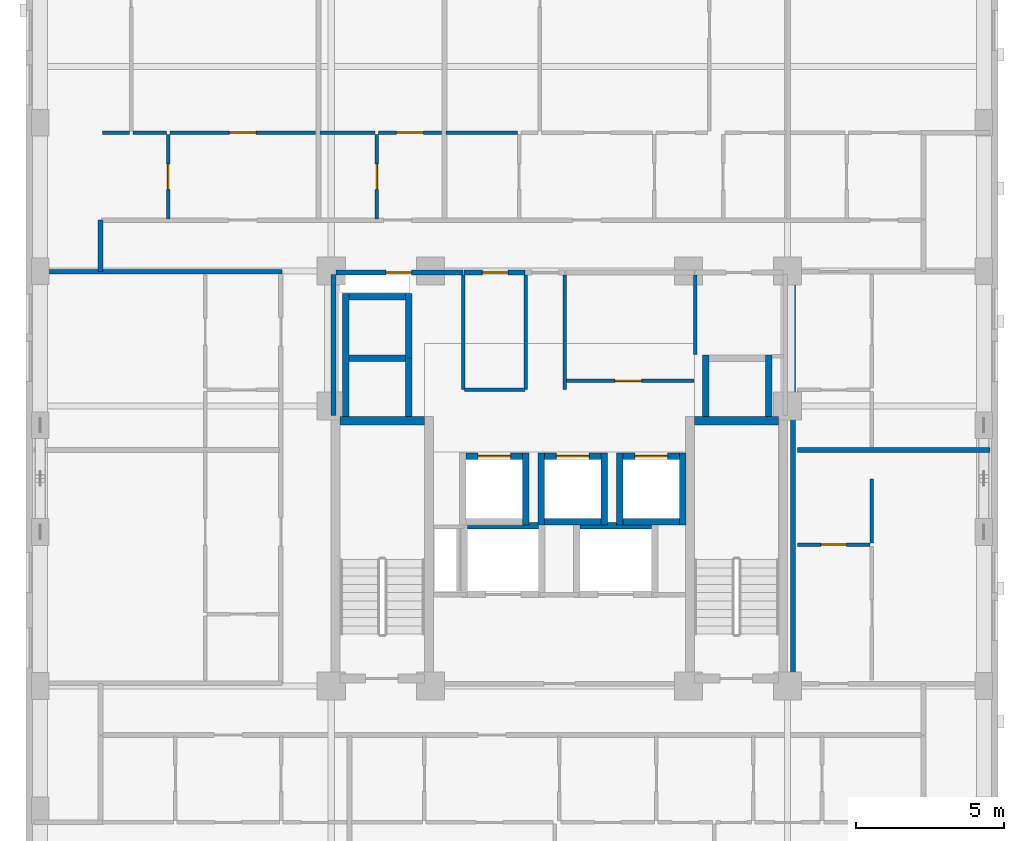
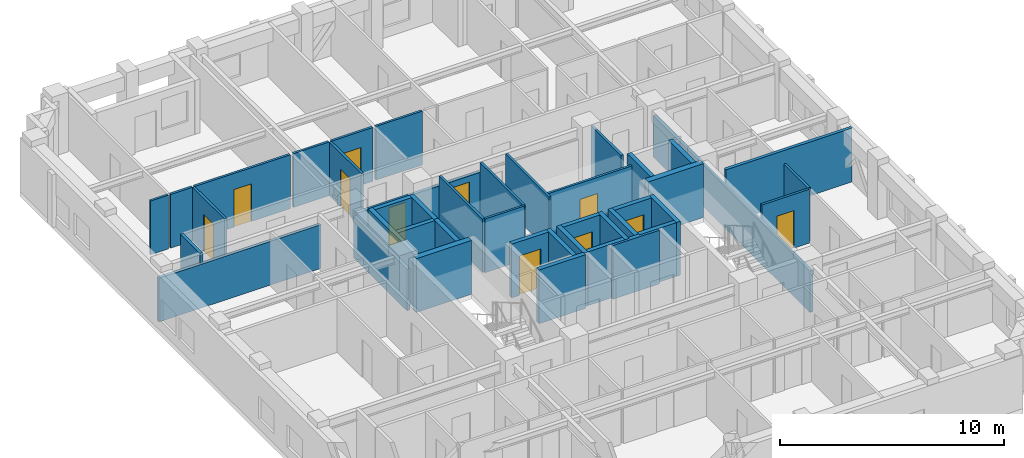
# One storey, part 5 of 11: 44 walls, 11 doors, 11 openings.
"""IFC4 building model written with IfcOpenShell, lengths in metres."""

from ifc_helpers import new_model, si_unit, derived_unit, direction, frame, frame_2d, origin, place, context, subcontext, project, spatial, rectangle, extrude, material, layer, layer_set, type_object, element, fill, save


model = new_model("IFC4")

# Units and contexts
model_context = context("Model", 3, precision=1e-05, world=origin(), true_north=direction((0.0, 1.0)))
body_context = subcontext(model_context, "Body", "Model", "MODEL_VIEW")
ifc_project = project(units=[si_unit("LENGTHUNIT", "METRE"), si_unit("AREAUNIT", "SQUARE_METRE"), si_unit("VOLUMEUNIT", "CUBIC_METRE"), si_unit("PLANEANGLEUNIT", "RADIAN"), si_unit("MASSUNIT", "GRAM", prefix="KILO"), derived_unit("THERMALTRANSMITTANCEUNIT", [(si_unit("MASSUNIT", "GRAM", prefix="KILO"), 1), (si_unit("TIMEUNIT", "SECOND"), -3), (si_unit("THERMODYNAMICTEMPERATUREUNIT", "KELVIN"), -1)])], contexts=[model_context])

# Site, building, storey
site_placement = place(None, origin())
site = spatial("IfcSite", under=ifc_project, at=site_placement, CompositionType="ELEMENT")
building_placement = place(site_placement, origin())
building = spatial("IfcBuilding", under=site, at=building_placement, Name="Korrvale Station Residences", CompositionType="ELEMENT")
storey_placement = place(building_placement, frame((0.0, 0.0, 166.64990234375)))
storey = spatial("IfcBuildingStorey", under=building, at=storey_placement, Name="L48", CompositionType="ELEMENT", Elevation=166.64990234375)

# Walls
ifc_material_1 = material(Name="Concrete C60/75", Category="concrete")
ifc_layer_1 = layer(ifc_material_1, 0.300048828125, Name="Concrete C60/75")
ifc_layer_set_1 = layer_set([ifc_layer_1], Name="Concrete C60/75")
wall_type_1 = type_object("IfcWallType", Name="WAL-CORE-300-C60", PredefinedType="SHEAR", material=ifc_layer_set_1)
for number, where, z_axis, x_axis, name in (
    (1, (18.10009765625, 23.949951171875, 0.0), (0.0, 0.0, 1.0), (1.0, 0.0, 0.0), "L48 ST-1 Core Shear Wall North"),
    (2, (30.050048828125, 23.949951171875, 0.0), (0.0, 0.0, 1.0), (1.0, 0.0, 0.0), "L48 ST-2 Core Shear Wall North"),
):
    element("IfcWall", number, at=place(storey_placement, frame(where, z_axis=z_axis, x_axis=x_axis)), inside=storey, type_object=wall_type_1, Name=name, PredefinedType="SHEAR", context=body_context, shape_type="SweptSolid", body=[
        extrude(rectangle(XDim=2.849853515625, YDim=0.300048828125, at=frame_2d((1.4248046875, 0.0))), origin(), (0.0, 0.0, 1.0), 2.93017578125),
    ])
ifc_material_2 = material(Name="Acoustic steel-stud gypsum board partition", Category="steel")
ifc_layer_2 = layer(ifc_material_2, 0.1201171875, Name="Acoustic steel-stud gypsum board partition")
ifc_layer_set_2 = layer_set([ifc_layer_2], Name="Acoustic steel-stud gypsum board partition")
wall_type_2 = type_object("IfcWallType", Name="WAL-PART-125", PredefinedType="PARTITIONING", material=ifc_layer_set_2)
for number, where, z_axis, x_axis, name in (
    (3, (24.360107421875, 25.0, 0.0), (0.0, 0.0, 1.0), (0.0, 1.0, 0.0), "L48 Core Partition CW-PSG-W"),
    (4, (25.679931640625, 25.0, 0.0), (0.0, 0.0, 1.0), (0.0, 1.0, 0.0), "L48 Core Partition CW-PSG-E"),
):
    element("IfcWall", number, at=place(storey_placement, frame(where, z_axis=z_axis, x_axis=x_axis)), inside=storey, type_object=wall_type_2, Name=name, PredefinedType="PARTITIONING", context=body_context, shape_type="SweptSolid", body=[
        extrude(rectangle(XDim=3.8701171875, YDim=0.1201171875, at=frame_2d((1.93505859375, 0.0))), origin(), (0.0, 0.0, 1.0), 2.93017578125),
    ])
wall_1_placement = place(storey_placement, frame((30.080078125, 26.179931640625, 0.0), z_axis=(0.0, 0.0, 1.0), x_axis=(0.0, 1.0, 0.0)))
element("IfcWall", 5, at=wall_1_placement, inside=storey, type_object=wall_type_2, Name="L48 Core Partition CW-CS-W", PredefinedType="PARTITIONING", context=body_context, shape_type="SweptSolid", body=[
    extrude(rectangle(XDim=2.68017578125, YDim=0.1201171875, at=frame_2d((1.340087890625, 0.0))), origin(), (0.0, 0.0, 1.0), 2.93017578125),
])
wall_2_placement = place(storey_placement, frame((22.260009765625, 25.0, 0.0), z_axis=(0.0, 0.0, 1.0), x_axis=(0.0, 1.0, 0.0)))
element("IfcWall", 6, at=wall_2_placement, inside=storey, type_object=wall_type_2, Name="L48 Core Partition CW-FPLW-W", PredefinedType="PARTITIONING", context=body_context, shape_type="SweptSolid", body=[
    extrude(rectangle(XDim=3.860107421875, YDim=0.1201171875, at=frame_2d((1.93017578125, 0.0))), origin(), (0.0, 0.0, 1.0), 2.93017578125),
])
wall_3_placement = place(storey_placement, frame((22.300048828125, 25.0, 0.0), z_axis=(0.0, 0.0, 1.0), x_axis=(1.0, 0.0, 0.0)))
element("IfcWall", 7, at=wall_3_placement, inside=storey, type_object=wall_type_2, Name="L48 Core Partition CW-FPLW-S", PredefinedType="PARTITIONING", context=body_context, shape_type="SweptSolid", body=[
    extrude(rectangle(XDim=2.0400390625, YDim=0.1201171875, at=frame_2d((1.02001953125, 0.0))), origin(), (0.0, 0.0, 1.0), 2.93017578125),
])

# Wall, opening, door
wall_4_placement = place(storey_placement, frame((25.719970703125, 25.300048828125, 0.0), z_axis=(0.0, 0.0, 1.0), x_axis=(1.0, 0.0, 0.0)))
wall_4 = element("IfcWall", 8, at=wall_4_placement, inside=storey, type_object=wall_type_2, Name="L48 Core Partition CW-FPLE-S", PredefinedType="PARTITIONING", context=body_context, shape_type="SweptSolid", body=[
    extrude(rectangle(XDim=4.320068359375, YDim=0.1201171875, at=frame_2d((2.16015625, 0.0))), origin(), (0.0, 0.0, 1.0), 2.93017578125),
])
opening_1_placement = place(wall_4_placement, frame((1.64990234375, 0.0, 0.0)))
opening_1 = element("IfcOpeningElement", 9, at=opening_1_placement, cuts=wall_4, Name="Opening DI-900", PredefinedType="OPENING", context=body_context, shape_type="SweptSolid", body=[
    extrude(rectangle(XDim=0.89990234375, YDim=2.050048828125, at=frame_2d((0.449951171875, 1.02490234375))), frame((0.0, 0.070068359375, 0.0), z_axis=(0.0, -1.0, 0.0), x_axis=(1.0, 0.0, 0.0)), (0.0, 0.0, 1.0), 0.14013671875),
])
ifc_material_3 = material(Name="Painted solid-core timber interior room door", Category="wood")
door_type_1 = type_object("IfcDoorType", Name="DR-INT-900", OperationType="NOTDEFINED", PredefinedType="DOOR", material=ifc_material_3)
door_1_placement = place(opening_1_placement, origin())
door_1 = element("IfcDoor", 10, at=door_1_placement, inside=storey, type_object=door_type_1, Name="L48 Housekeeping Linen Door", OperationType="SINGLE_SWING_LEFT", OverallHeight=2.050048828125, OverallWidth=0.89990234375, PredefinedType="DOOR", context=body_context, shape_type="SweptSolid", body=[
    extrude(rectangle(XDim=0.89990234375, YDim=2.050048828125, at=frame_2d((0.449951171875, 1.02490234375))), frame((0.0, 0.02490234375, 0.0), z_axis=(0.0, -1.0, 0.0), x_axis=(1.0, 0.0, 0.0)), (0.0, 0.0, 1.0), 0.050048828125),
])
fill(opening_1, door_1)

wall_5_placement = place(storey_placement, frame((12.297119140625, 30.760009765625, 0.0), z_axis=(0.0, 0.0, 1.0), x_axis=(0.0, 1.0, 0.0)))
wall_5 = element("IfcWall", 11, at=wall_5_placement, inside=storey, type_object=wall_type_2, Name="L48 Suite Partition U03-V01", PredefinedType="PARTITIONING", context=body_context, shape_type="SweptSolid", body=[
    extrude(rectangle(XDim=2.85009765625, YDim=0.1201171875, at=frame_2d((1.425048828125, 0.0))), origin(), (0.0, 0.0, 1.0), 2.93017578125),
])
opening_2_placement = place(wall_5_placement, frame((0.9951171875, 0.0, 0.0)))
opening_2 = element("IfcOpeningElement", 12, at=opening_2_placement, cuts=wall_5, Name="Opening DB-860", PredefinedType="OPENING", context=body_context, shape_type="SweptSolid", body=[
    extrude(rectangle(XDim=0.860107421875, YDim=2.050048828125, at=frame_2d((0.43017578125, 1.02490234375))), frame((0.0, 0.070068359375, 0.0), z_axis=(0.0, -1.0, 0.0), x_axis=(1.0, 0.0, 0.0)), (0.0, 0.0, 1.0), 0.14013671875),
])
ifc_material_4 = material(Name="Moisture-resistant solid-core bathroom door", Category="timber")
door_type_2 = type_object("IfcDoorType", Name="DR-BATH-860", OperationType="NOTDEFINED", PredefinedType="DOOR", material=ifc_material_4)
door_2_placement = place(opening_2_placement, origin())
door_2 = element("IfcDoor", 13, at=door_2_placement, inside=storey, type_object=door_type_2, Name="L48 Studio Apartment L48-U03 Bathroom Door", OperationType="SINGLE_SWING_RIGHT", OverallHeight=2.050048828125, OverallWidth=0.860107421875, PredefinedType="DOOR", context=body_context, shape_type="SweptSolid", body=[
    extrude(rectangle(XDim=0.860107421875, YDim=2.050048828125, at=frame_2d((0.43017578125, 1.02490234375))), frame((0.0, 0.02490234375, 0.0), z_axis=(0.0, -1.0, 0.0), x_axis=(1.0, 0.0, 0.0)), (0.0, 0.0, 1.0), 0.050048828125),
])
fill(opening_2, door_2)

# Walls
wall_6_placement = place(storey_placement, frame((10.080078125, 33.669921875, 0.0), z_axis=(0.0, 0.0, 1.0), x_axis=(1.0, 0.0, 0.0)))
element("IfcWall", 14, at=wall_6_placement, inside=storey, type_object=wall_type_2, Name="L48 Suite Partition U03-H02", PredefinedType="PARTITIONING", context=body_context, shape_type="SweptSolid", body=[
    extrude(rectangle(XDim=0.909912109375, YDim=0.1201171875, at=frame_2d((0.455078125, 0.0))), origin(), (0.0, 0.0, 1.0), 2.93017578125),
])
wall_7_placement = place(storey_placement, frame((11.110107421875, 33.669921875, 0.0), z_axis=(0.0, 0.0, 1.0), x_axis=(1.0, 0.0, 0.0)))
element("IfcWall", 15, at=wall_7_placement, inside=storey, type_object=wall_type_2, Name="L48 Suite Partition U03-H03", PredefinedType="PARTITIONING", context=body_context, shape_type="SweptSolid", body=[
    extrude(rectangle(XDim=1.126953125, YDim=0.1201171875, at=frame_2d((0.5634765625, 0.0))), origin(), (0.0, 0.0, 1.0), 2.93017578125),
])

# Wall, opening, door
wall_8_placement = place(storey_placement, frame((12.35693359375, 33.669921875, 0.0), z_axis=(0.0, 0.0, 1.0), x_axis=(1.0, 0.0, 0.0)))
wall_8 = element("IfcWall", 16, at=wall_8_placement, inside=storey, type_object=wall_type_2, Name="L48 Suite Partition U03-H13", PredefinedType="PARTITIONING", context=body_context, shape_type="SweptSolid", body=[
    extrude(rectangle(XDim=4.9130859375, YDim=0.1201171875, at=frame_2d((2.45654296875, 0.0))), origin(), (0.0, 0.0, 1.0), 2.93017578125),
])
opening_3_placement = place(wall_8_placement, frame((2.006103515625, 0.0, 0.0)))
opening_3 = element("IfcOpeningElement", 17, at=opening_3_placement, cuts=wall_8, Name="Opening DI-900", PredefinedType="OPENING", context=body_context, shape_type="SweptSolid", body=[
    extrude(rectangle(XDim=0.89990234375, YDim=2.050048828125, at=frame_2d((0.449951171875, 1.02490234375))), frame((0.0, 0.070068359375, 0.0), z_axis=(0.0, -1.0, 0.0), x_axis=(1.0, 0.0, 0.0)), (0.0, 0.0, 1.0), 0.14013671875),
])
door_3_placement = place(opening_3_placement, origin())
door_3 = element("IfcDoor", 18, at=door_3_placement, inside=storey, type_object=door_type_1, Name="L48 Studio Apartment L48-U03 Kitchen Door", OperationType="SINGLE_SWING_LEFT", OverallHeight=2.050048828125, OverallWidth=0.89990234375, PredefinedType="DOOR", context=body_context, shape_type="SweptSolid", body=[
    extrude(rectangle(XDim=0.89990234375, YDim=2.050048828125, at=frame_2d((0.449951171875, 1.02490234375))), frame((0.0, 0.02490234375, 0.0), z_axis=(0.0, -1.0, 0.0), x_axis=(1.0, 0.0, 0.0)), (0.0, 0.0, 1.0), 0.050048828125),
])
fill(opening_3, door_3)

wall_9_placement = place(storey_placement, frame((19.340087890625, 30.760009765625, 0.0), z_axis=(0.0, 0.0, 1.0), x_axis=(0.0, 1.0, 0.0)))
wall_9 = element("IfcWall", 19, at=wall_9_placement, inside=storey, type_object=wall_type_2, Name="L48 Suite Partition U04-V01", PredefinedType="PARTITIONING", context=body_context, shape_type="SweptSolid", body=[
    extrude(rectangle(XDim=2.85009765625, YDim=0.1201171875, at=frame_2d((1.425048828125, 0.0))), origin(), (0.0, 0.0, 1.0), 2.93017578125),
])
opening_4_placement = place(wall_9_placement, frame((0.9951171875, 0.0, 0.0)))
opening_4 = element("IfcOpeningElement", 20, at=opening_4_placement, cuts=wall_9, Name="Opening DB-860", PredefinedType="OPENING", context=body_context, shape_type="SweptSolid", body=[
    extrude(rectangle(XDim=0.860107421875, YDim=2.050048828125, at=frame_2d((0.43017578125, 1.02490234375))), frame((0.0, 0.070068359375, 0.0), z_axis=(0.0, -1.0, 0.0), x_axis=(1.0, 0.0, 0.0)), (0.0, 0.0, 1.0), 0.14013671875),
])
door_4_placement = place(opening_4_placement, origin())
door_4 = element("IfcDoor", 21, at=door_4_placement, inside=storey, type_object=door_type_2, Name="L48 Studio Apartment L48-U04 Bathroom Door", OperationType="SINGLE_SWING_LEFT", OverallHeight=2.050048828125, OverallWidth=0.860107421875, PredefinedType="DOOR", context=body_context, shape_type="SweptSolid", body=[
    extrude(rectangle(XDim=0.860107421875, YDim=2.050048828125, at=frame_2d((0.43017578125, 1.02490234375))), frame((0.0, 0.02490234375, 0.0), z_axis=(0.0, -1.0, 0.0), x_axis=(1.0, 0.0, 0.0)), (0.0, 0.0, 1.0), 0.050048828125),
])
fill(opening_4, door_4)

# Wall
wall_10_placement = place(storey_placement, frame((17.429931640625, 33.669921875, 0.0), z_axis=(0.0, 0.0, 1.0), x_axis=(1.0, 0.0, 0.0)))
element("IfcWall", 22, at=wall_10_placement, inside=storey, type_object=wall_type_2, Name="L48 Suite Partition U04-H02", PredefinedType="PARTITIONING", context=body_context, shape_type="SweptSolid", body=[
    extrude(rectangle(XDim=1.85009765625, YDim=0.1201171875, at=frame_2d((0.925048828125, 0.0))), origin(), (0.0, 0.0, 1.0), 2.93017578125),
])

# Wall, opening, door
wall_11_placement = place(storey_placement, frame((19.39990234375, 33.669921875, 0.0), z_axis=(0.0, 0.0, 1.0), x_axis=(1.0, 0.0, 0.0)))
wall_11 = element("IfcWall", 23, at=wall_11_placement, inside=storey, type_object=wall_type_2, Name="L48 Suite Partition U04-H12", PredefinedType="PARTITIONING", context=body_context, shape_type="SweptSolid", body=[
    extrude(rectangle(XDim=2.12109375, YDim=0.1201171875, at=frame_2d((1.060546875, 0.0))), origin(), (0.0, 0.0, 1.0), 2.93017578125),
])
opening_5_placement = place(wall_11_placement, frame((0.611083984375, 0.0, 0.0)))
opening_5 = element("IfcOpeningElement", 24, at=opening_5_placement, cuts=wall_11, Name="Opening DI-900", PredefinedType="OPENING", context=body_context, shape_type="SweptSolid", body=[
    extrude(rectangle(XDim=0.89990234375, YDim=2.050048828125, at=frame_2d((0.449951171875, 1.02490234375))), frame((0.0, 0.070068359375, 0.0), z_axis=(0.0, -1.0, 0.0), x_axis=(1.0, 0.0, 0.0)), (0.0, 0.0, 1.0), 0.14013671875),
])
door_5_placement = place(opening_5_placement, origin())
door_5 = element("IfcDoor", 25, at=door_5_placement, inside=storey, type_object=door_type_1, Name="L48 Studio Apartment L48-U04 Kitchen Door", OperationType="SINGLE_SWING_RIGHT", OverallHeight=2.050048828125, OverallWidth=0.89990234375, PredefinedType="DOOR", context=body_context, shape_type="SweptSolid", body=[
    extrude(rectangle(XDim=0.89990234375, YDim=2.050048828125, at=frame_2d((0.449951171875, 1.02490234375))), frame((0.0, 0.02490234375, 0.0), z_axis=(0.0, -1.0, 0.0), x_axis=(1.0, 0.0, 0.0)), (0.0, 0.0, 1.0), 0.050048828125),
])
fill(opening_5, door_5)

# Wall
wall_12_placement = place(storey_placement, frame((21.680908203125, 33.669921875, 0.0), z_axis=(0.0, 0.0, 1.0), x_axis=(1.0, 0.0, 0.0)))
element("IfcWall", 26, at=wall_12_placement, inside=storey, type_object=wall_type_2, Name="L48 Suite Partition U05-H04", PredefinedType="PARTITIONING", context=body_context, shape_type="SweptSolid", body=[
    extrude(rectangle(XDim=2.400146484375, YDim=0.1201171875, at=frame_2d((1.2001953125, 0.0))), origin(), (0.0, 0.0, 1.0), 2.93017578125),
])

# Wall, opening, door
wall_13_placement = place(storey_placement, frame((33.530029296875, 19.77001953125, 0.0), z_axis=(0.0, 0.0, 1.0), x_axis=(1.0, 0.0, 0.0)))
wall_13 = element("IfcWall", 27, at=wall_13_placement, inside=storey, type_object=wall_type_2, Name="L48 Suite Partition U09-H01", PredefinedType="PARTITIONING", context=body_context, shape_type="SweptSolid", body=[
    extrude(rectangle(XDim=2.449951171875, YDim=0.1201171875, at=frame_2d((1.22509765625, 0.0))), origin(), (0.0, 0.0, 1.0), 2.93017578125),
])
opening_6_placement = place(wall_13_placement, frame((0.794921875, 0.0, 0.0)))
opening_6 = element("IfcOpeningElement", 28, at=opening_6_placement, cuts=wall_13, Name="Opening DB-860", PredefinedType="OPENING", context=body_context, shape_type="SweptSolid", body=[
    extrude(rectangle(XDim=0.860107421875, YDim=2.050048828125, at=frame_2d((0.43017578125, 1.02490234375))), frame((0.0, 0.070068359375, 0.0), z_axis=(0.0, -1.0, 0.0), x_axis=(1.0, 0.0, 0.0)), (0.0, 0.0, 1.0), 0.14013671875),
])
door_6_placement = place(opening_6_placement, origin())
door_6 = element("IfcDoor", 29, at=door_6_placement, inside=storey, type_object=door_type_2, Name="L48 Apartment 1BR L48-U09 Bathroom Door", OperationType="SINGLE_SWING_RIGHT", OverallHeight=2.050048828125, OverallWidth=0.860107421875, PredefinedType="DOOR", context=body_context, shape_type="SweptSolid", body=[
    extrude(rectangle(XDim=0.860107421875, YDim=2.050048828125, at=frame_2d((0.43017578125, 1.02490234375))), frame((0.0, 0.02490234375, 0.0), z_axis=(0.0, -1.0, 0.0), x_axis=(1.0, 0.0, 0.0)), (0.0, 0.0, 1.0), 0.050048828125),
])
fill(opening_6, door_6)

# Walls
wall_14_placement = place(storey_placement, frame((36.0400390625, 19.830078125, 0.0), z_axis=(0.0, 0.0, 1.0), x_axis=(0.0, 1.0, 0.0)))
element("IfcWall", 30, at=wall_14_placement, inside=storey, type_object=wall_type_2, Name="L48 Suite Partition U09-V02", PredefinedType="PARTITIONING", context=body_context, shape_type="SweptSolid", body=[
    extrude(rectangle(XDim=2.158935546875, YDim=0.1201171875, at=frame_2d((1.07958984375, 0.0))), origin(), (0.0, 0.0, 1.0), 2.93017578125),
])
ifc_material_5 = material(Name="Fire-rated twin-stud gypsum and mineral wool shaftwall assembly", Category="gypsum")
ifc_layer_3 = layer(ifc_material_5, 0.159912109375, Name="Fire-rated twin-stud gypsum and mineral wool shaftwall assembly")
ifc_layer_set_3 = layer_set([ifc_layer_3], Name="Fire-rated twin-stud gypsum and mineral wool shaftwall assembly")
wall_type_3 = type_object("IfcWallType", Name="WAL-PART-200", PredefinedType="PARTITIONING", material=ifc_layer_set_3)
wall_15_placement = place(storey_placement, frame((17.8798828125, 24.1201171875, 0.0), z_axis=(0.0, 0.0, 1.0), x_axis=(0.0, 1.0, 0.0)))
element("IfcWall", 31, at=wall_15_placement, inside=storey, type_object=wall_type_3, Name="L48 Core Partition CW-W-N", PredefinedType="PARTITIONING", context=body_context, shape_type="SweptSolid", body=[
    extrude(rectangle(XDim=4.759765625, YDim=0.159912109375, at=frame_2d((2.3798828125, 0.0))), origin(), (0.0, 0.0, 1.0), 2.26513671875),
])

# Wall, opening, door
wall_16_placement = place(storey_placement, frame((17.9599609375, 28.949951171875, 0.0), z_axis=(0.0, 0.0, 1.0), x_axis=(1.0, 0.0, 0.0)))
wall_16 = element("IfcWall", 32, at=wall_16_placement, inside=storey, type_object=wall_type_3, Name="L48 Core Partition CW-NW", PredefinedType="PARTITIONING", context=body_context, shape_type="SweptSolid", body=[
    extrude(rectangle(XDim=4.2900390625, YDim=0.159912109375, at=frame_2d((2.14501953125, 0.0))), origin(), (0.0, 0.0, 1.0), 2.382080078125),
])
opening_7_placement = place(wall_16_placement, frame((1.695068359375, 0.0, 0.0)))
opening_7 = element("IfcOpeningElement", 33, at=opening_7_placement, cuts=wall_16, Name="Opening DB-860", PredefinedType="OPENING", context=body_context, shape_type="SweptSolid", body=[
    extrude(rectangle(XDim=0.860107421875, YDim=2.050048828125, at=frame_2d((0.43017578125, 1.02490234375))), frame((0.0, 0.08984375, 0.0), z_axis=(0.0, -1.0, 0.0), x_axis=(1.0, 0.0, 0.0)), (0.0, 0.0, 1.0), 0.179931640625),
])
door_7_placement = place(opening_7_placement, origin())
door_7 = element("IfcDoor", 34, at=door_7_placement, inside=storey, type_object=door_type_2, Name="L48 Electrical Riser Access Door", OperationType="SINGLE_SWING_RIGHT", OverallHeight=2.050048828125, OverallWidth=0.860107421875, PredefinedType="DOOR", context=body_context, shape_type="SweptSolid", body=[
    extrude(rectangle(XDim=0.860107421875, YDim=2.050048828125, at=frame_2d((0.43017578125, 1.02490234375))), frame((0.0, 0.02490234375, 0.0), z_axis=(0.0, -1.0, 0.0), x_axis=(1.0, 0.0, 0.0)), (0.0, 0.0, 1.0), 0.050048828125),
])
fill(opening_7, door_7)

wall_17_placement = place(storey_placement, frame((22.280029296875, 28.949951171875, 0.0), z_axis=(0.0, 0.0, 1.0), x_axis=(1.0, 0.0, 0.0)))
wall_17 = element("IfcWall", 35, at=wall_17_placement, inside=storey, type_object=wall_type_3, Name="L48 Core Partition CW-FPLW-N", PredefinedType="PARTITIONING", context=body_context, shape_type="SweptSolid", body=[
    extrude(rectangle(XDim=2.06005859375, YDim=0.159912109375, at=frame_2d((1.030029296875, 0.0))), origin(), (0.0, 0.0, 1.0), 2.382080078125),
])
opening_8_placement = place(wall_17_placement, frame((0.6201171875, 0.0, 0.0)))
opening_8 = element("IfcOpeningElement", 36, at=opening_8_placement, cuts=wall_17, Name="Opening DB-860", PredefinedType="OPENING", context=body_context, shape_type="SweptSolid", body=[
    extrude(rectangle(XDim=0.860107421875, YDim=2.050048828125, at=frame_2d((0.43017578125, 1.02490234375))), frame((0.0, 0.08984375, 0.0), z_axis=(0.0, -1.0, 0.0), x_axis=(1.0, 0.0, 0.0)), (0.0, 0.0, 1.0), 0.179931640625),
])
door_8_placement = place(opening_8_placement, origin())
door_8 = element("IfcDoor", 37, at=door_8_placement, inside=storey, type_object=door_type_2, Name="L48 Resident Parcel Room Door", OperationType="SINGLE_SWING_RIGHT", OverallHeight=2.050048828125, OverallWidth=0.860107421875, PredefinedType="DOOR", context=body_context, shape_type="SweptSolid", body=[
    extrude(rectangle(XDim=0.860107421875, YDim=2.050048828125, at=frame_2d((0.43017578125, 1.02490234375))), frame((0.0, 0.02490234375, 0.0), z_axis=(0.0, -1.0, 0.0), x_axis=(1.0, 0.0, 0.0)), (0.0, 0.0, 1.0), 0.050048828125),
])
fill(opening_8, door_8)

# Walls
wall_18_placement = place(storey_placement, frame((10.02001953125, 28.97998046875, 0.0), z_axis=(0.0, 0.0, 1.0), x_axis=(0.0, 1.0, 0.0)))
element("IfcWall", 38, at=wall_18_placement, inside=storey, type_object=wall_type_3, Name="L48 Corridor North West Cap", PredefinedType="PARTITIONING", context=body_context, shape_type="SweptSolid", body=[
    extrude(rectangle(XDim=1.739990234375, YDim=0.159912109375, at=frame_2d((0.8701171875, 0.0))), origin(), (0.0, 0.0, 1.0), 2.93017578125),
])
wall_19_placement = place(storey_placement, frame((7.780029296875, 28.97998046875, 0.0), z_axis=(0.0, 0.0, 1.0), x_axis=(1.0, 0.0, 0.0)))
element("IfcWall", 39, at=wall_19_placement, inside=storey, type_object=wall_type_3, Name="L48 West Wing North Corridor Wall", PredefinedType="PARTITIONING", context=body_context, shape_type="SweptSolid", body=[
    extrude(rectangle(XDim=8.35986328125, YDim=0.159912109375, at=frame_2d((4.179931640625, 0.0))), origin(), (0.0, 0.0, 1.0), 2.382080078125),
])
wall_20_placement = place(storey_placement, frame((33.530029296875, 22.9619140625, 0.0), z_axis=(0.0, 0.0, 1.0), x_axis=(1.0, 0.0, 0.0)))
element("IfcWall", 40, at=wall_20_placement, inside=storey, type_object=wall_type_3, Name="L48 Demising Wall U09-N", PredefinedType="PARTITIONING", context=body_context, shape_type="SweptSolid", body=[
    extrude(rectangle(XDim=6.489990234375, YDim=0.159912109375, at=frame_2d((3.2451171875, 0.0))), origin(), (0.0, 0.0, 1.0), 2.93017578125),
])
wall_21_placement = place(storey_placement, frame((33.3798828125, 15.02001953125, 0.0), z_axis=(0.0, 0.0, 1.0), x_axis=(0.0, 1.0, 0.0)))
element("IfcWall", 41, at=wall_21_placement, inside=storey, type_object=wall_type_3, Name="L48 Rated Corridor Wall E", PredefinedType="PARTITIONING", context=body_context, shape_type="SweptSolid", body=[
    extrude(rectangle(XDim=13.97998046875, YDim=0.159912109375, at=frame_2d((6.989990234375, 0.0))), origin(), (0.0, 0.0, 1.0), 2.26513671875),
])

# Wall, opening, door
ifc_layer_4 = layer(ifc_material_1, 0.219970703125, Name="Concrete C60/75")
ifc_layer_set_4 = layer_set([ifc_layer_4], Name="Concrete C60/75")
wall_type_4 = type_object("IfcWallType", Name="WAL-SHAFT-220-C60", PredefinedType="SHEAR", material=ifc_layer_set_4)
wall_22_placement = place(storey_placement, frame((22.35009765625, 22.760009765625, 0.0), z_axis=(0.0, 0.0, 1.0), x_axis=(1.0, 0.0, 0.0)))
wall_22 = element("IfcWall", 42, at=wall_22_placement, inside=storey, type_object=wall_type_4, Name="L48 Elevator PM-1 Hoistway Wall North", PredefinedType="SHEAR", context=body_context, shape_type="SweptSolid", body=[
    extrude(rectangle(XDim=1.89990234375, YDim=0.219970703125, at=frame_2d((0.949951171875, 0.0))), origin(), (0.0, 0.0, 1.0), 2.93017578125),
])
opening_9_placement = place(wall_22_placement, frame((0.39990234375, 0.0, 0.0)))
opening_9 = element("IfcOpeningElement", 43, at=opening_9_placement, cuts=wall_22, Name="Opening LD-1100", PredefinedType="OPENING", context=body_context, shape_type="SweptSolid", body=[
    extrude(rectangle(XDim=1.10009765625, YDim=2.14990234375, at=frame_2d((0.550048828125, 1.074951171875))), frame((0.0, 0.1201171875, 0.0), z_axis=(0.0, -1.0, 0.0), x_axis=(1.0, 0.0, 0.0)), (0.0, 0.0, 1.0), 0.239990234375),
])
ifc_material_6 = material(Name="Brushed stainless-steel elevator landing sliding door", Category="steel")
door_type_3 = type_object("IfcDoorType", Name="DR-LIFT-1100", OperationType="SLIDING_TO_LEFT", PredefinedType="DOOR", material=ifc_material_6)
door_9_placement = place(opening_9_placement, origin())
door_9 = element("IfcDoor", 44, at=door_9_placement, inside=storey, type_object=door_type_3, Name="L48 Elevator PM-1 Sliding Landing Door", OperationType="SLIDING_TO_LEFT", OverallHeight=2.14990234375, OverallWidth=1.10009765625, PredefinedType="DOOR", context=body_context, shape_type="SweptSolid", body=[
    extrude(rectangle(XDim=1.10009765625, YDim=2.14990234375, at=frame_2d((0.550048828125, 1.074951171875))), frame((0.0, 0.02490234375, 0.0), z_axis=(0.0, -1.0, 0.0), x_axis=(1.0, 0.0, 0.0)), (0.0, 0.0, 1.0), 0.050048828125),
])
fill(opening_9, door_9)

# Walls
wall_23_placement = place(storey_placement, frame((24.360107421875, 20.429931640625, 0.0), z_axis=(0.0, 0.0, 1.0), x_axis=(0.0, 1.0, 0.0)))
element("IfcWall", 45, at=wall_23_placement, inside=storey, type_object=wall_type_4, Name="L48 Elevator PM-1 Hoistway Wall East", PredefinedType="SHEAR", context=body_context, shape_type="SweptSolid", body=[
    extrude(rectangle(XDim=2.440185546875, YDim=0.219970703125, at=frame_2d((1.22021484375, 0.0))), origin(), (0.0, 0.0, 1.0), 2.93017578125),
])
wall_24_placement = place(storey_placement, frame((25.0, 20.5400390625, 0.0), z_axis=(0.0, 0.0, 1.0), x_axis=(1.0, 0.0, 0.0)))
element("IfcWall", 46, at=wall_24_placement, inside=storey, type_object=wall_type_4, Name="L48 Elevator PM-2 Hoistway Wall South", PredefinedType="SHEAR", context=body_context, shape_type="SweptSolid", body=[
    extrude(rectangle(XDim=1.89990234375, YDim=0.219970703125, at=frame_2d((0.949951171875, 0.0))), origin(), (0.0, 0.0, 1.0), 2.93017578125),
])

# Wall, opening, door
wall_25_placement = place(storey_placement, frame((25.0, 22.760009765625, 0.0), z_axis=(0.0, 0.0, 1.0), x_axis=(1.0, 0.0, 0.0)))
wall_25 = element("IfcWall", 47, at=wall_25_placement, inside=storey, type_object=wall_type_4, Name="L48 Elevator PM-2 Hoistway Wall North", PredefinedType="SHEAR", context=body_context, shape_type="SweptSolid", body=[
    extrude(rectangle(XDim=1.89990234375, YDim=0.219970703125, at=frame_2d((0.949951171875, 0.0))), origin(), (0.0, 0.0, 1.0), 2.93017578125),
])
opening_10_placement = place(wall_25_placement, frame((0.39990234375, 0.0, 0.0)))
opening_10 = element("IfcOpeningElement", 48, at=opening_10_placement, cuts=wall_25, Name="Opening LD-1100", PredefinedType="OPENING", context=body_context, shape_type="SweptSolid", body=[
    extrude(rectangle(XDim=1.10009765625, YDim=2.14990234375, at=frame_2d((0.550048828125, 1.074951171875))), frame((0.0, 0.1201171875, 0.0), z_axis=(0.0, -1.0, 0.0), x_axis=(1.0, 0.0, 0.0)), (0.0, 0.0, 1.0), 0.239990234375),
])
door_10_placement = place(opening_10_placement, origin())
door_10 = element("IfcDoor", 49, at=door_10_placement, inside=storey, type_object=door_type_3, Name="L48 Elevator PM-2 Sliding Landing Door", OperationType="SLIDING_TO_LEFT", OverallHeight=2.14990234375, OverallWidth=1.10009765625, PredefinedType="DOOR", context=body_context, shape_type="SweptSolid", body=[
    extrude(rectangle(XDim=1.10009765625, YDim=2.14990234375, at=frame_2d((0.550048828125, 1.074951171875))), frame((0.0, 0.02490234375, 0.0), z_axis=(0.0, -1.0, 0.0), x_axis=(1.0, 0.0, 0.0)), (0.0, 0.0, 1.0), 0.050048828125),
])
fill(opening_10, door_10)

# Walls
for number, where, z_axis, x_axis, name in (
    (50, (24.889892578125, 20.429931640625, 0.0), (0.0, 0.0, 1.0), (0.0, 1.0, 0.0), "L48 Elevator PM-2 Hoistway Wall West"),
    (51, (27.010009765625, 20.429931640625, 0.0), (0.0, 0.0, 1.0), (0.0, 1.0, 0.0), "L48 Elevator PM-2 Hoistway Wall East"),
):
    element("IfcWall", number, at=place(storey_placement, frame(where, z_axis=z_axis, x_axis=x_axis)), inside=storey, type_object=wall_type_4, Name=name, PredefinedType="SHEAR", context=body_context, shape_type="SweptSolid", body=[
        extrude(rectangle(XDim=2.440185546875, YDim=0.219970703125, at=frame_2d((1.22021484375, 0.0))), origin(), (0.0, 0.0, 1.0), 2.93017578125),
    ])
wall_26_placement = place(storey_placement, frame((27.64990234375, 20.5400390625, 0.0), z_axis=(0.0, 0.0, 1.0), x_axis=(1.0, 0.0, 0.0)))
element("IfcWall", 52, at=wall_26_placement, inside=storey, type_object=wall_type_4, Name="L48 Elevator PM-3 Hoistway Wall South", PredefinedType="SHEAR", context=body_context, shape_type="SweptSolid", body=[
    extrude(rectangle(XDim=1.900146484375, YDim=0.219970703125, at=frame_2d((0.9501953125, 0.0))), origin(), (0.0, 0.0, 1.0), 2.93017578125),
])

# Wall, opening, door
wall_27_placement = place(storey_placement, frame((27.64990234375, 22.760009765625, 0.0), z_axis=(0.0, 0.0, 1.0), x_axis=(1.0, 0.0, 0.0)))
wall_27 = element("IfcWall", 53, at=wall_27_placement, inside=storey, type_object=wall_type_4, Name="L48 Elevator PM-3 Hoistway Wall North", PredefinedType="SHEAR", context=body_context, shape_type="SweptSolid", body=[
    extrude(rectangle(XDim=1.900146484375, YDim=0.219970703125, at=frame_2d((0.9501953125, 0.0))), origin(), (0.0, 0.0, 1.0), 2.93017578125),
])
opening_11_placement = place(wall_27_placement, frame((0.39990234375, 0.0, 0.0)))
opening_11 = element("IfcOpeningElement", 54, at=opening_11_placement, cuts=wall_27, Name="Opening LD-1100", PredefinedType="OPENING", context=body_context, shape_type="SweptSolid", body=[
    extrude(rectangle(XDim=1.10009765625, YDim=2.14990234375, at=frame_2d((0.550048828125, 1.074951171875))), frame((0.0, 0.1201171875, 0.0), z_axis=(0.0, -1.0, 0.0), x_axis=(1.0, 0.0, 0.0)), (0.0, 0.0, 1.0), 0.239990234375),
])
door_11_placement = place(opening_11_placement, origin())
door_11 = element("IfcDoor", 55, at=door_11_placement, inside=storey, type_object=door_type_3, Name="L48 Elevator PM-3 Sliding Landing Door", OperationType="SLIDING_TO_LEFT", OverallHeight=2.14990234375, OverallWidth=1.10009765625, PredefinedType="DOOR", context=body_context, shape_type="SweptSolid", body=[
    extrude(rectangle(XDim=1.10009765625, YDim=2.14990234375, at=frame_2d((0.550048828125, 1.074951171875))), frame((0.0, 0.02490234375, 0.0), z_axis=(0.0, -1.0, 0.0), x_axis=(1.0, 0.0, 0.0)), (0.0, 0.0, 1.0), 0.050048828125),
])
fill(opening_11, door_11)

# Walls
for number, where, z_axis, x_axis, name in (
    (56, (27.5400390625, 20.429931640625, 0.0), (0.0, 0.0, 1.0), (0.0, 1.0, 0.0), "L48 Elevator PM-3 Hoistway Wall West"),
    (57, (29.659912109375, 20.429931640625, 0.0), (0.0, 0.0, 1.0), (0.0, 1.0, 0.0), "L48 Elevator PM-3 Hoistway Wall East"),
):
    element("IfcWall", number, at=place(storey_placement, frame(where, z_axis=z_axis, x_axis=x_axis)), inside=storey, type_object=wall_type_4, Name=name, PredefinedType="SHEAR", context=body_context, shape_type="SweptSolid", body=[
        extrude(rectangle(XDim=2.440185546875, YDim=0.219970703125, at=frame_2d((1.22021484375, 0.0))), origin(), (0.0, 0.0, 1.0), 2.93017578125),
    ])
wall_28_placement = place(storey_placement, frame((18.2900390625, 24.10009765625, 0.0), z_axis=(0.0, 0.0, 1.0), x_axis=(0.0, 1.0, 0.0)))
element("IfcWall", 58, at=wall_28_placement, inside=storey, type_object=wall_type_4, Name="L48 Elevator PH-1 Hoistway Wall West", PredefinedType="SHEAR", context=body_context, shape_type="SweptSolid", body=[
    extrude(rectangle(XDim=4.139892578125, YDim=0.219970703125, at=frame_2d((2.06982421875, 0.0))), origin(), (0.0, 0.0, 1.0), 2.93017578125),
])
wall_29_placement = place(storey_placement, frame((20.409912109375, 24.10009765625, 0.0), z_axis=(0.0, 0.0, 1.0), x_axis=(0.0, 1.0, 0.0)))
element("IfcWall", 59, at=wall_29_placement, inside=storey, type_object=wall_type_4, Name="L48 Elevator PH-1 Hoistway Wall East", PredefinedType="SHEAR", context=body_context, shape_type="SweptSolid", body=[
    extrude(rectangle(XDim=1.9599609375, YDim=0.219970703125, at=frame_2d((0.97998046875, 0.0))), origin(), (0.0, 0.0, 1.0), 2.93017578125),
])
for number, where, z_axis, x_axis, name in (
    (60, (18.39990234375, 26.06005859375, 0.0), (0.0, 0.0, 1.0), (1.0, 0.0, 0.0), "L48 Elevator PH-2 Hoistway Wall South"),
    (61, (18.39990234375, 28.1298828125, 0.0), (0.0, 0.0, 1.0), (1.0, 0.0, 0.0), "L48 Elevator PH-2 Hoistway Wall North"),
):
    element("IfcWall", number, at=place(storey_placement, frame(where, z_axis=z_axis, x_axis=x_axis)), inside=storey, type_object=wall_type_4, Name=name, PredefinedType="SHEAR", context=body_context, shape_type="SweptSolid", body=[
        extrude(rectangle(XDim=1.900146484375, YDim=0.219970703125, at=frame_2d((0.9501953125, 0.0))), origin(), (0.0, 0.0, 1.0), 2.93017578125),
    ])
wall_30_placement = place(storey_placement, frame((20.409912109375, 26.06005859375, 0.0), z_axis=(0.0, 0.0, 1.0), x_axis=(0.0, 1.0, 0.0)))
element("IfcWall", 62, at=wall_30_placement, inside=storey, type_object=wall_type_4, Name="L48 Elevator PH-2 Hoistway Wall East", PredefinedType="SHEAR", context=body_context, shape_type="SweptSolid", body=[
    extrude(rectangle(XDim=2.179931640625, YDim=0.219970703125, at=frame_2d((1.08984375, 0.0))), origin(), (0.0, 0.0, 1.0), 2.93017578125),
])
for number, where, z_axis, x_axis, name in (
    (63, (30.43994140625, 24.10009765625, 0.0), (0.0, 0.0, 1.0), (0.0, 1.0, 0.0), "L48 Elevator PH-3 Hoistway Wall West"),
    (64, (32.56005859375, 24.10009765625, 0.0), (0.0, 0.0, 1.0), (0.0, 1.0, 0.0), "L48 Elevator PH-3 Hoistway Wall East"),
):
    element("IfcWall", number, at=place(storey_placement, frame(where, z_axis=z_axis, x_axis=x_axis)), inside=storey, type_object=wall_type_4, Name=name, PredefinedType="SHEAR", context=body_context, shape_type="SweptSolid", body=[
        extrude(rectangle(XDim=2.06982421875, YDim=0.219970703125, at=frame_2d((1.034912109375, 0.0))), origin(), (0.0, 0.0, 1.0), 2.93017578125),
    ])
for number, where, z_axis, x_axis, name in (
    (65, (22.39990234375, 20.409912109375, 0.0), (0.0, 0.0, 1.0), (1.0, 0.0, 0.0), "L48 Elevator FFL-1 Hoistway Wall North"),
    (66, (26.199951171875, 20.409912109375, 0.0), (0.0, 0.0, 1.0), (1.0, 0.0, 0.0), "L48 Elevator FFL-2 Hoistway Wall North"),
):
    element("IfcWall", number, at=place(storey_placement, frame(where, z_axis=z_axis, x_axis=x_axis)), inside=storey, type_object=wall_type_4, Name=name, PredefinedType="SHEAR", context=body_context, shape_type="SweptSolid", body=[
        extrude(rectangle(XDim=2.400146484375, YDim=0.219970703125, at=frame_2d((1.2001953125, 0.0))), origin(), (0.0, 0.0, 1.0), 2.93017578125),
    ])

save(model, "model.ifc")
